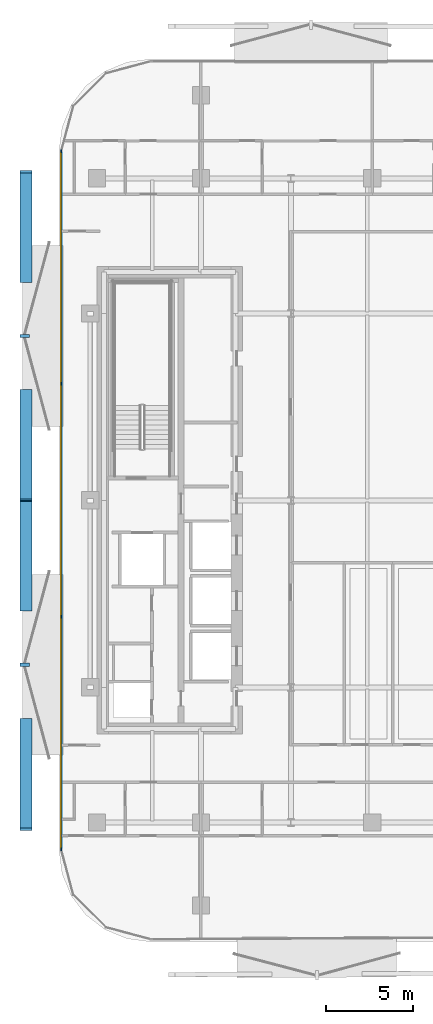
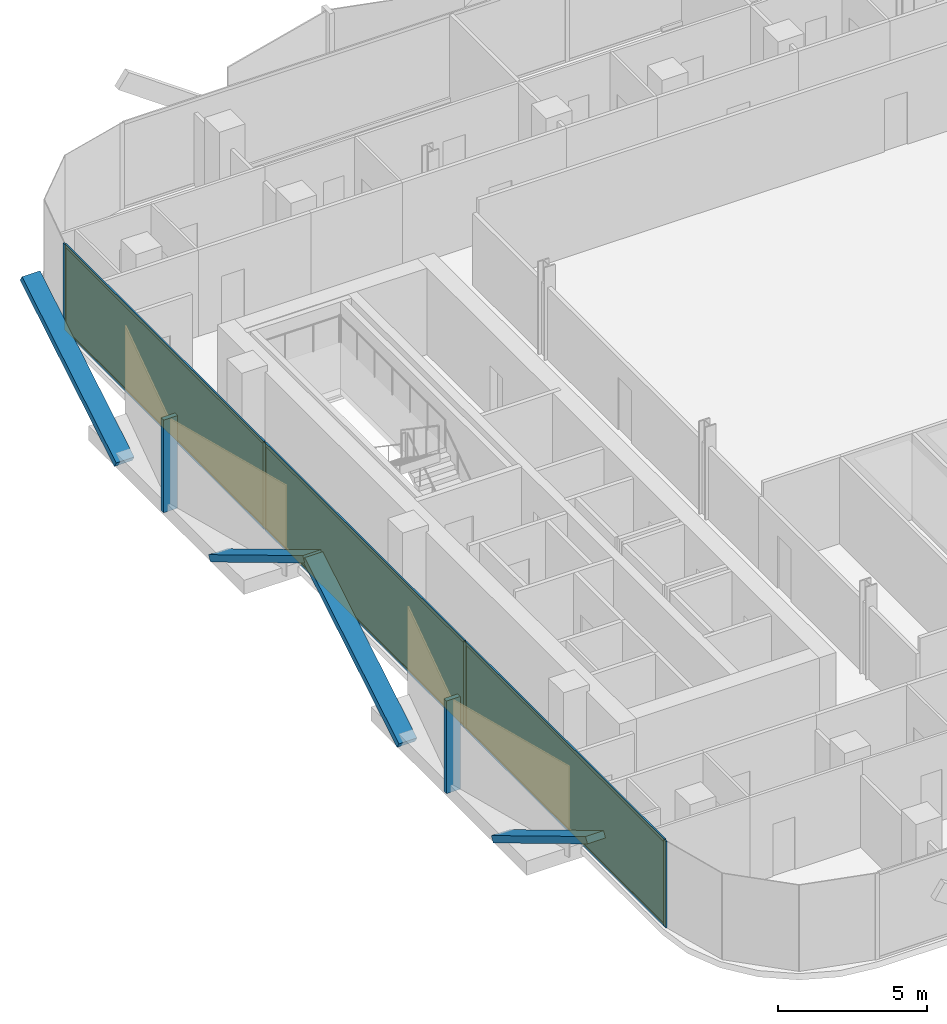
# One storey, part 10 of 17: 16 members, 3 plates, 1 curtain wall.
"""IFC4 building model written with IfcOpenShell, lengths in metres."""

from ifc_helpers import new_model, si_unit, direction, frame, frame_2d, origin, origin_2d, place, context, subcontext, project, spatial, rectangle, extrude, material, layer, layer_set, material_profile, profile_set, type_object, element, aggregate, save


model = new_model("IFC4")

# Units and contexts
model_context = context("Model", 3, precision=1e-05, world=origin(), true_north=direction((0.0, 1.0)))
body_context = subcontext(model_context, "Body", "Model", "MODEL_VIEW")
ifc_project = project(units=[si_unit("LENGTHUNIT", "METRE"), si_unit("AREAUNIT", "SQUARE_METRE"), si_unit("VOLUMEUNIT", "CUBIC_METRE"), si_unit("PLANEANGLEUNIT", "RADIAN"), si_unit("MASSUNIT", "GRAM", prefix="KILO")], contexts=[model_context])

# Member
ifc_material_1 = material(Name="Anodised Bronze Aluminium 6063-T6", Category="aluminium")
ifc_material_profile_1 = material_profile(ifc_material_1, rectangle(XDim=0.260009765625, YDim=0.699951171875, at=origin_2d()))
ifc_profile_set_1 = profile_set([ifc_material_profile_1], Name="Anodised Bronze Aluminium 6063-T6")
member_type_1 = type_object("IfcMemberType", Name="Bronze Diamond Solar-Screen Lattice Rib BDL-700", PredefinedType="MULLION", material=ifc_profile_set_1)
site_placement = place(None, origin())
building_placement = place(site_placement, origin())
storey_placement = place(building_placement, frame((0.0, 0.0, 168.800048828125)))
member_1_placement = place(storey_placement, frame((-24.5, -6.330322265625, -0.130126953125), z_axis=(0.0, 0.857382035675, 0.514680527027), x_axis=(0.0, -0.514680527027, 0.857382035675)))
member_1 = element("IfcMember", 1, at=member_1_placement, type_object=member_type_1, Name="L38 Bronze Diamond Solar Screen Lattice Rib 243A", PredefinedType="MULLION", context=body_context, shape_type="SweptSolid", body=[
    extrude(rectangle(XDim=0.260009765625, YDim=0.699951171875, at=origin_2d()), origin(), (0.0, 0.0, 1.0), 7.38330078125),
])

member_2_placement = place(storey_placement, frame((-24.5, -12.660400390625, -0.130126953125), z_axis=(0.0, -0.857382035675, 0.514680527027), x_axis=(0.0, 0.514680527027, 0.857382035675)))
member_2 = element("IfcMember", 2, at=member_2_placement, type_object=member_type_1, Name="L38 Bronze Diamond Solar Screen Lattice Rib 243B", PredefinedType="MULLION", context=body_context, shape_type="SweptSolid", body=[
    extrude(rectangle(XDim=0.260009765625, YDim=0.699951171875, at=origin_2d()), origin(), (0.0, 0.0, 1.0), 7.38330078125),
])

member_3_placement = place(storey_placement, frame((-24.5, 12.660400390625, -0.130126953125), z_axis=(0.0, 0.857382035675, 0.514680527027), x_axis=(0.0, -0.514680527027, 0.857382035675)))
member_3 = element("IfcMember", 3, at=member_3_placement, type_object=member_type_1, Name="L38 Bronze Diamond Solar Screen Lattice Rib 244A", PredefinedType="MULLION", context=body_context, shape_type="SweptSolid", body=[
    extrude(rectangle(XDim=0.260009765625, YDim=0.699951171875, at=origin_2d()), origin(), (0.0, 0.0, 1.0), 7.38330078125),
])

member_4_placement = place(storey_placement, frame((-24.5, 6.330322265625, -0.130126953125), z_axis=(0.0, -0.857382035675, 0.514680527027), x_axis=(0.0, 0.514680527027, 0.857382035675)))
member_4 = element("IfcMember", 4, at=member_4_placement, type_object=member_type_1, Name="L38 Bronze Diamond Solar Screen Lattice Rib 244B", PredefinedType="MULLION", context=body_context, shape_type="SweptSolid", body=[
    extrude(rectangle(XDim=0.260009765625, YDim=0.699951171875, at=origin_2d()), origin(), (0.0, 0.0, 1.0), 7.38330078125),
])

ifc_material_2 = material(Name="Anodised Bronze Aluminium 6063-T6", Category="aluminium")
ifc_material_profile_2 = material_profile(ifc_material_2, rectangle(XDim=0.179931640625, YDim=0.5400390625, at=origin_2d()))
ifc_profile_set_2 = profile_set([ifc_material_profile_2], Name="Anodised Bronze Aluminium 6063-T6")
member_type_2 = type_object("IfcMemberType", Name="Bronze Solar-Screen Vertical Fold Fin BSF-540", PredefinedType="MULLION", material=ifc_profile_set_2)
member_5_placement = place(storey_placement, frame((-24.580078125, -9.495361328125, -0.130126953125), z_axis=(0.0, 0.0, 1.0), x_axis=(0.0, 1.0, 0.0)))
member_5 = element("IfcMember", 5, at=member_5_placement, type_object=member_type_2, Name="L38 Bronze Solar Screen Vertical Fin 243", PredefinedType="MULLION", context=body_context, shape_type="SweptSolid", body=[
    extrude(rectangle(XDim=0.179931640625, YDim=0.5400390625, at=origin_2d()), origin(), (0.0, 0.0, 1.0), 3.800048828125),
])

member_6_placement = place(storey_placement, frame((-24.580078125, 9.495361328125, -0.130126953125), z_axis=(0.0, 0.0, 1.0), x_axis=(0.0, 1.0, 0.0)))
member_6 = element("IfcMember", 6, at=member_6_placement, type_object=member_type_2, Name="L38 Bronze Solar Screen Vertical Fin 244", PredefinedType="MULLION", context=body_context, shape_type="SweptSolid", body=[
    extrude(rectangle(XDim=0.179931640625, YDim=0.5400390625, at=origin_2d()), origin(), (0.0, 0.0, 1.0), 3.800048828125),
])

ifc_material_3 = material(Name="Anodised Bronze Aluminium 6063-T6", Category="aluminium")
ifc_material_profile_3 = material_profile(ifc_material_3, rectangle(XDim=0.06005859375, YDim=0.1650390625, at=origin_2d()))
ifc_profile_set_3 = profile_set([ifc_material_profile_3], Name="Anodised Bronze Aluminium 6063-T6")
member_type_3 = type_object("IfcMemberType", Name="CW-Z3 Mullion 60x165", PredefinedType="MULLION", material=ifc_profile_set_3)
member_7_placement = place(storey_placement, frame((-22.4599609375, -20.160888671875, 0.0), z_axis=(0.0, 0.0, 1.0), x_axis=(-1.0, 0.0, 0.0)))
member_7 = element("IfcMember", 7, at=member_7_placement, type_object=member_type_3, Name="CW-Z3 mullion 1", PredefinedType="MULLION", context=body_context, shape_type="SweptSolid", body=[
    extrude(rectangle(XDim=0.06005859375, YDim=0.1650390625, at=origin_2d()), origin(), (0.0, 0.0, 1.0), 3.5400390625),
])

member_8_placement = place(storey_placement, frame((-22.4599609375, -6.730224609375, 0.0), z_axis=(0.0, 0.0, 1.0), x_axis=(-1.0, 0.0, 0.0)))
member_8 = element("IfcMember", 8, at=member_8_placement, type_object=member_type_3, Name="CW-Z3 mullion 2", PredefinedType="MULLION", context=body_context, shape_type="SweptSolid", body=[
    extrude(rectangle(XDim=0.06005859375, YDim=0.1650390625, at=origin_2d()), origin(), (0.0, 0.0, 1.0), 3.5400390625),
])

member_9_placement = place(storey_placement, frame((-22.4599609375, 6.730224609375, 0.0), z_axis=(0.0, 0.0, 1.0), x_axis=(-1.0, 0.0, 0.0)))
member_9 = element("IfcMember", 9, at=member_9_placement, type_object=member_type_3, Name="CW-Z3 mullion 3", PredefinedType="MULLION", context=body_context, shape_type="SweptSolid", body=[
    extrude(rectangle(XDim=0.06005859375, YDim=0.1650390625, at=origin_2d()), origin(), (0.0, 0.0, 1.0), 3.5400390625),
])

member_10_placement = place(storey_placement, frame((-22.4599609375, 20.160888671875, 0.0), z_axis=(0.0, 0.0, 1.0), x_axis=(-1.0, 0.0, 0.0)))
member_10 = element("IfcMember", 10, at=member_10_placement, type_object=member_type_3, Name="CW-Z3 mullion 4", PredefinedType="MULLION", context=body_context, shape_type="SweptSolid", body=[
    extrude(rectangle(XDim=0.06005859375, YDim=0.1650390625, at=origin_2d()), origin(), (0.0, 0.0, 1.0), 3.5400390625),
])

ifc_material_4 = material(Name="Anodised Bronze Aluminium 6063-T6", Category="aluminium")
ifc_material_profile_4 = material_profile(ifc_material_4, rectangle(XDim=0.06005859375, YDim=0.1298828125, at=origin_2d()))
ifc_profile_set_4 = profile_set([ifc_material_profile_4], Name="Anodised Bronze Aluminium 6063-T6")
member_type_4 = type_object("IfcMemberType", Name="CW-Z3 Transom 60x130", PredefinedType="USERDEFINED", material=ifc_profile_set_4)
member_11_placement = place(storey_placement, frame((-22.4599609375, -20.130859375, 0.030029296875), z_axis=(0.0, 1.0, 0.0), x_axis=(-1.0, 0.0, 0.0)))
member_11 = element("IfcMember", 11, at=member_11_placement, type_object=member_type_4, Name="CW-Z3 transom 1.1", ObjectType="TRANSOM", PredefinedType="USERDEFINED", context=body_context, shape_type="SweptSolid", body=[
    extrude(rectangle(XDim=0.06005859375, YDim=0.1298828125, at=origin_2d()), origin(), (0.0, 0.0, 1.0), 13.37060546875),
])

member_12_placement = place(storey_placement, frame((-22.4599609375, -20.130859375, 3.510009765625), z_axis=(0.0, 1.0, 0.0), x_axis=(-1.0, 0.0, 0.0)))
member_12 = element("IfcMember", 12, at=member_12_placement, type_object=member_type_4, Name="CW-Z3 transom 1.2", ObjectType="TRANSOM", PredefinedType="USERDEFINED", context=body_context, shape_type="SweptSolid", body=[
    extrude(rectangle(XDim=0.06005859375, YDim=0.1298828125, at=origin_2d()), origin(), (0.0, 0.0, 1.0), 13.37060546875),
])

member_13_placement = place(storey_placement, frame((-22.4599609375, -6.7001953125, 0.030029296875), z_axis=(0.0, 1.0, 0.0), x_axis=(-1.0, 0.0, 0.0)))
member_13 = element("IfcMember", 13, at=member_13_placement, type_object=member_type_4, Name="CW-Z3 transom 2.1", ObjectType="TRANSOM", PredefinedType="USERDEFINED", context=body_context, shape_type="SweptSolid", body=[
    extrude(rectangle(XDim=0.06005859375, YDim=0.1298828125, at=origin_2d()), origin(), (0.0, 0.0, 1.0), 13.400390625),
])

member_14_placement = place(storey_placement, frame((-22.4599609375, -6.7001953125, 3.510009765625), z_axis=(0.0, 1.0, 0.0), x_axis=(-1.0, 0.0, 0.0)))
member_14 = element("IfcMember", 14, at=member_14_placement, type_object=member_type_4, Name="CW-Z3 transom 2.2", ObjectType="TRANSOM", PredefinedType="USERDEFINED", context=body_context, shape_type="SweptSolid", body=[
    extrude(rectangle(XDim=0.06005859375, YDim=0.1298828125, at=origin_2d()), origin(), (0.0, 0.0, 1.0), 13.400390625),
])

member_15_placement = place(storey_placement, frame((-22.4599609375, 6.76025390625, 0.030029296875), z_axis=(0.0, 1.0, 0.0), x_axis=(-1.0, 0.0, 0.0)))
member_15 = element("IfcMember", 15, at=member_15_placement, type_object=member_type_4, Name="CW-Z3 transom 3.1", ObjectType="TRANSOM", PredefinedType="USERDEFINED", context=body_context, shape_type="SweptSolid", body=[
    extrude(rectangle(XDim=0.06005859375, YDim=0.1298828125, at=origin_2d()), origin(), (0.0, 0.0, 1.0), 13.37060546875),
])

member_16_placement = place(storey_placement, frame((-22.4599609375, 6.76025390625, 3.510009765625), z_axis=(0.0, 1.0, 0.0), x_axis=(-1.0, 0.0, 0.0)))
member_16 = element("IfcMember", 16, at=member_16_placement, type_object=member_type_4, Name="CW-Z3 transom 3.2", ObjectType="TRANSOM", PredefinedType="USERDEFINED", context=body_context, shape_type="SweptSolid", body=[
    extrude(rectangle(XDim=0.06005859375, YDim=0.1298828125, at=origin_2d()), origin(), (0.0, 0.0, 1.0), 13.37060546875),
])

# Plate
ifc_material_5 = material(Name="Low-E Solar Control Laminated Glass", Category="glass")
ifc_layer_1 = layer(ifc_material_5, 0.030029296875, Name="Low-E Solar Control Laminated Glass")
ifc_layer_set_1 = layer_set([ifc_layer_1], Name="Low-E Solar Control Laminated Glass")
plate_type = type_object("IfcPlateType", Name="CW-Z3 Low-E Double Glazed Panel 30mm", PredefinedType="CURTAIN_PANEL", material=ifc_layer_set_1)
plate_1_placement = place(storey_placement, frame((-22.4599609375, -13.445556640625, 0.06005859375), z_axis=(0.0, 0.0, 1.0), x_axis=(0.0, 1.0, 0.0)))
plate_1 = element("IfcPlate", 17, at=plate_1_placement, type_object=plate_type, Name="CW-Z3 panel 1.1", PredefinedType="CURTAIN_PANEL", context=body_context, shape_type="SweptSolid", body=[
    extrude(rectangle(XDim=13.37060546875, YDim=0.030029296875, at=origin_2d()), origin(), (0.0, 0.0, 1.0), 3.419921875),
])

plate_2_placement = place(storey_placement, frame((-22.4599609375, 0.0, 0.06005859375), z_axis=(0.0, 0.0, 1.0), x_axis=(0.0, 1.0, 0.0)))
plate_2 = element("IfcPlate", 18, at=plate_2_placement, type_object=plate_type, Name="CW-Z3 panel 2.1", PredefinedType="CURTAIN_PANEL", context=body_context, shape_type="SweptSolid", body=[
    extrude(rectangle(XDim=13.400634765625, YDim=0.030029296875, at=origin_2d()), origin(), (0.0, 0.0, 1.0), 3.419921875),
])

plate_3_placement = place(storey_placement, frame((-22.4599609375, 13.445556640625, 0.06005859375), z_axis=(0.0, 0.0, 1.0), x_axis=(0.0, 1.0, 0.0)))
plate_3 = element("IfcPlate", 19, at=plate_3_placement, type_object=plate_type, Name="CW-Z3 panel 3.1", PredefinedType="CURTAIN_PANEL", context=body_context, shape_type="SweptSolid", body=[
    extrude(rectangle(XDim=13.37060546875, YDim=0.030029296875, at=origin_2d()), origin(), (0.0, 0.0, 1.0), 3.419921875),
])

# Site, building, storey
site = spatial("IfcSite", under=ifc_project, at=site_placement, CompositionType="ELEMENT")
building = spatial("IfcBuilding", under=site, at=building_placement, Name="Khairoan Windgate Tower", CompositionType="ELEMENT")
storey = spatial("IfcBuildingStorey", under=building, at=storey_placement, Name="L38", CompositionType="ELEMENT", Elevation=168.800048828125)

# Curtain wall
ifc_material_6 = material(Name="Anodised Bronze Aluminium 6063-T6", Category="aluminium")
ifc_layer_2 = layer(ifc_material_6, 0.1650390625, Name="Anodised Bronze Aluminium 6063-T6")
ifc_layer_set_2 = layer_set([ifc_layer_2], Name="Anodised Bronze Aluminium 6063-T6")
curtain_wall_type = type_object("IfcCurtainWallType", Name="Luxury Hotel Acoustic Curtain Wall CW-Z3", PredefinedType="NOTDEFINED", material=ifc_layer_set_2)
curtain_wall_placement = place(storey_placement, frame((-22.4599609375, -20.19091796875, 0.0), z_axis=(0.0, 0.0, 1.0), x_axis=(0.0, 1.0, 0.0)))
curtain_wall = element("IfcCurtainWall", 20, at=curtain_wall_placement, inside=storey, type_object=curtain_wall_type, Name="L38 Unitised Curtain Wall 5", PredefinedType="NOTDEFINED", context=body_context, shape_type="SweptSolid", body=[
    extrude(rectangle(XDim=40.3818359375, YDim=0.010009765625, at=frame_2d((20.19091796875, 0.0))), origin(), (0.0, 0.0, 1.0), 3.5400390625),
])

aggregate(curtain_wall, [member_7, member_8, member_9, member_10, member_11, member_12, plate_1, member_13, member_14, plate_2, member_15, member_16, plate_3, member_1, member_2, member_5, member_3, member_4, member_6])

save(model, "model.ifc")
